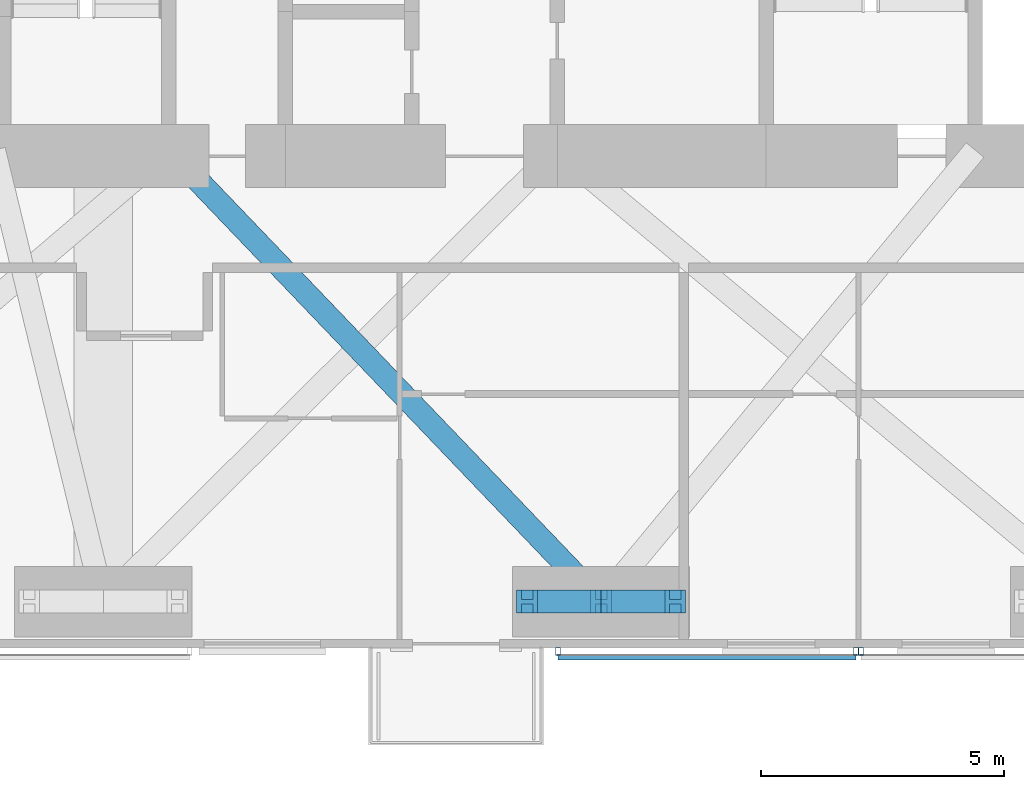
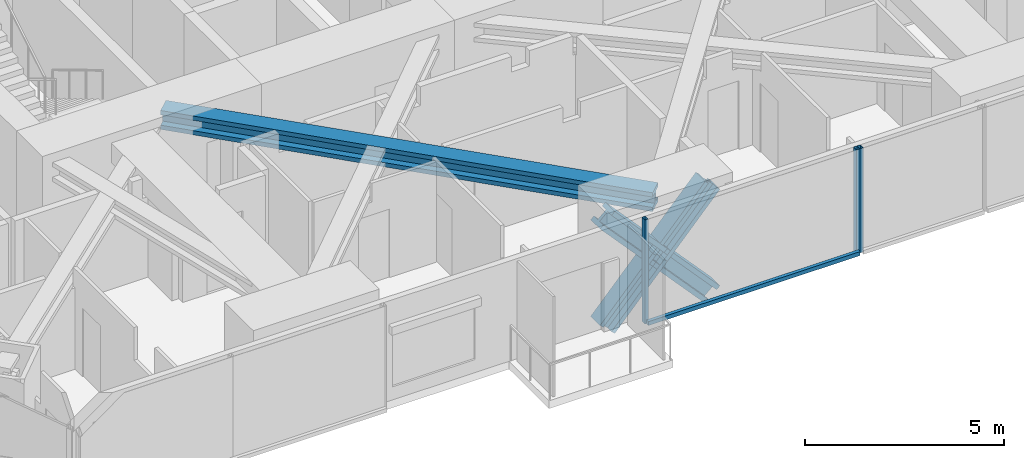
# One storey, part 5 of 22: 9 members, 2 elements without a shape of their own.
"""IFC4 building model written with IfcOpenShell, lengths in metres."""

from ifc_helpers import new_model, si_unit, direction, frame, origin, origin_2d, place, context, subcontext, project, spatial, rectangle, hollow_rectangle, i_section, extrude, material, material_profile, profile_set, type_object, element, aggregate, save


model = new_model("IFC4")

# Units and contexts
model_context = context("Model", 3, precision=1e-05, world=origin(), true_north=direction((0.0, 1.0)))
body_context = subcontext(model_context, "Body", "Model", "MODEL_VIEW")
ifc_project = project(units=[si_unit("LENGTHUNIT", "METRE"), si_unit("AREAUNIT", "SQUARE_METRE"), si_unit("VOLUMEUNIT", "CUBIC_METRE"), si_unit("PLANEANGLEUNIT", "RADIAN"), si_unit("MASSUNIT", "GRAM", prefix="KILO")], contexts=[model_context])

# Site, building, storey
site_placement = place(None, origin())
site = spatial("IfcSite", under=ifc_project, at=site_placement, CompositionType="ELEMENT")
building_placement = place(site_placement, origin())
building = spatial("IfcBuilding", under=site, at=building_placement, Name="Jalousie Tower", CompositionType="ELEMENT")
storey_placement = place(building_placement, frame((0.0, 0.0, 204.60009765625)))
storey = spatial("IfcBuildingStorey", under=building, at=storey_placement, Name="L56", CompositionType="ELEMENT", Elevation=204.60009765625)

# Members
ifc_material_1 = material(Name="Steel ASTM A992 Grade 50", Category="steel")
ifc_material_profile_1 = material_profile(ifc_material_1, i_section(OverallWidth=0.472412109375, OverallDepth=0.5791015625, WebThickness=0.094970703125, FlangeThickness=0.1298828125, at=origin_2d()), Name="W14X808")
ifc_profile_set_1 = profile_set([ifc_material_profile_1], Name="Steel ASTM A992 Grade 50")
member_type_1 = type_object("IfcMemberType", Name="KINK FLOOR TRUSS DIAGONAL W14X808", PredefinedType="BRACE", material=ifc_profile_set_1)
member_1_placement = place(storey_placement, frame((32.5, 0.949951171875, 2.7802734375), z_axis=(-0.691393153844, 0.722478724128, 0.0), x_axis=(-0.722478724128, -0.691393153844, 0.0)))
element("IfcMember", 1, at=member_1_placement, inside=storey, type_object=member_type_1, Name="Kink floor truss L57 03 diagonal", PredefinedType="BRACE", context=body_context, shape_type="SweptSolid", body=[
    extrude(i_section(OverallWidth=0.472412109375, OverallDepth=0.5791015625, WebThickness=0.094970703125, FlangeThickness=0.1298828125, at=origin_2d()), origin(), (0.0, 0.0, 1.0), 12.872314453125),
])
ifc_material_2 = material(Name="Steel ASTM A992 Grade 50", Category="steel")
ifc_material_profile_2 = material_profile(ifc_material_2, i_section(OverallWidth=0.472412109375, OverallDepth=0.5791015625, WebThickness=0.094970703125, FlangeThickness=0.1298828125, at=origin_2d()), Name="W14X808")
ifc_profile_set_2 = profile_set([ifc_material_profile_2], Name="Steel ASTM A992 Grade 50")
member_type_2 = type_object("IfcMemberType", Name="PERIMETER BRACE W14X808", PredefinedType="BRACE", material=ifc_profile_set_2)
for number, where, z_axis, x_axis, name in (
    (2, (30.97509765625, 0.949951171875, -0.60009765625), (0.673187629365, 0.0, 0.739471713908), (0.0, 1.0, 0.0), "Perimeter brace 03 L56 part 1"),
    (3, (32.5, 0.949951171875, 1.074951171875), (0.673187629365, 0.0, 0.739471713908), (0.0, 1.0, 0.0), "Perimeter brace 03 L56 part 2"),
    (4, (34.02490234375, 0.949951171875, -0.60009765625), (-0.673187629365, 0.0, 0.739471713908), (0.0, -1.0, 0.0), "Perimeter brace 03 L56 part 3"),
    (5, (32.5, 0.949951171875, 1.074951171875), (-0.673187629365, 0.0, 0.739471713908), (0.0, -1.0, 0.0), "Perimeter brace 03 L56 part 4"),
):
    element("IfcMember", number, at=place(storey_placement, frame(where, z_axis=z_axis, x_axis=x_axis)), inside=storey, type_object=member_type_2, Name=name, PredefinedType="BRACE", context=body_context, shape_type="SweptSolid", body=[
        extrude(i_section(OverallWidth=0.472412109375, OverallDepth=0.5791015625, WebThickness=0.094970703125, FlangeThickness=0.1298828125, at=origin_2d()), origin(), (0.0, 0.0, 1.0), 2.26513671875),
    ])

# Curtain wall, members
ifc_material_3 = material(Name="Perforated aluminium sheet", Category="aluminium")
curtain_wall_type = type_object("IfcCurtainWallType", Name="SOLAR SCREEN SS-1", PredefinedType="USERDEFINED", material=ifc_material_3)
curtain_wall_1_placement = place(storey_placement, origin())
curtain_wall_1 = element("IfcCurtainWall", 6, at=curtain_wall_1_placement, inside=storey, type_object=curtain_wall_type, Name="Solar screen L56", ObjectType="SOLAR SCREEN SS-1", PredefinedType="USERDEFINED")
ifc_material_4 = material(Name="Steel ASTM A500 Grade C", Category="steel")
ifc_material_profile_3 = material_profile(ifc_material_4, hollow_rectangle(XDim=0.1015625, YDim=0.15234375, WallThickness=0.00634765625, at=origin_2d()), Name="HSS6X4X1/4")
ifc_profile_set_3 = profile_set([ifc_material_profile_3], Name="Steel ASTM A500 Grade C")
member_type_3 = type_object("IfcMemberType", Name="SOLAR SCREEN SS-1 MULLION", PredefinedType="MULLION", material=ifc_profile_set_3)
member_2_placement = place(storey_placement, frame((31.612548828125, -0.0712890625, -0.1201171875), z_axis=(0.0, 0.0, 1.0), x_axis=(1.0, 0.0, 0.0)))
member_2 = element("IfcMember", 7, at=member_2_placement, type_object=member_type_3, Name="SS1 post 1", PredefinedType="MULLION", context=body_context, shape_type="SweptSolid", body=[
    extrude(hollow_rectangle(XDim=0.1015625, YDim=0.15234375, WallThickness=0.00634765625, at=origin_2d()), origin(), (0.0, 0.0, 1.0), 3.18994140625),
])
member_3_placement = place(storey_placement, frame((37.75, -0.0712890625, -0.1201171875), z_axis=(0.0, 0.0, 1.0), x_axis=(1.0, 0.0, 0.0)))
member_3 = element("IfcMember", 8, at=member_3_placement, type_object=member_type_3, Name="SS1 post 2", PredefinedType="MULLION", context=body_context, shape_type="SweptSolid", body=[
    extrude(hollow_rectangle(XDim=0.1015625, YDim=0.15234375, WallThickness=0.00634765625, at=origin_2d()), origin(), (0.0, 0.0, 1.0), 3.18994140625),
])

# Curtain wall, member
curtain_wall_2_placement = place(storey_placement, origin())
curtain_wall_2 = element("IfcCurtainWall", 9, at=curtain_wall_2_placement, inside=storey, type_object=curtain_wall_type, Name="Solar screen L56", ObjectType="SOLAR SCREEN SS-1", PredefinedType="USERDEFINED")
member_4_placement = place(storey_placement, frame((37.85009765625, -0.0712890625, -0.1201171875), z_axis=(0.0, 0.0, 1.0), x_axis=(1.0, 0.0, 0.0)))
member_4 = element("IfcMember", 10, at=member_4_placement, type_object=member_type_3, Name="SS1 post 1", PredefinedType="MULLION", context=body_context, shape_type="SweptSolid", body=[
    extrude(hollow_rectangle(XDim=0.1015625, YDim=0.15234375, WallThickness=0.00634765625, at=origin_2d()), origin(), (0.0, 0.0, 1.0), 3.18994140625),
])
aggregate(curtain_wall_2, [member_4])

# Member
ifc_material_5 = material(Name="Extruded aluminium screen rail", Category="aluminium")
ifc_material_profile_4 = material_profile(ifc_material_5, rectangle(XDim=0.1015625, YDim=0.1201171875, at=origin_2d()), Name="RAIL 102x120")
ifc_profile_set_4 = profile_set([ifc_material_profile_4], Name="Extruded aluminium screen rail")
member_type_4 = type_object("IfcMemberType", Name="SOLAR SCREEN SS-1 TRANSOM", PredefinedType="USERDEFINED", material=ifc_profile_set_4)
member_5_placement = place(storey_placement, frame((31.612548828125, -0.1982421875, -0.06005859375), z_axis=(1.0, 0.0, 0.0), x_axis=(0.0, 1.0, 0.0)))
member_5 = element("IfcMember", 11, at=member_5_placement, type_object=member_type_4, Name="SS1 rail", ObjectType="TRANSOM", PredefinedType="USERDEFINED", context=body_context, shape_type="SweptSolid", body=[
    extrude(rectangle(XDim=0.1015625, YDim=0.1201171875, at=origin_2d()), origin(), (0.0, 0.0, 1.0), 6.137451171875),
])

aggregate(curtain_wall_1, [member_2, member_3, member_5])

save(model, "model.ifc")
